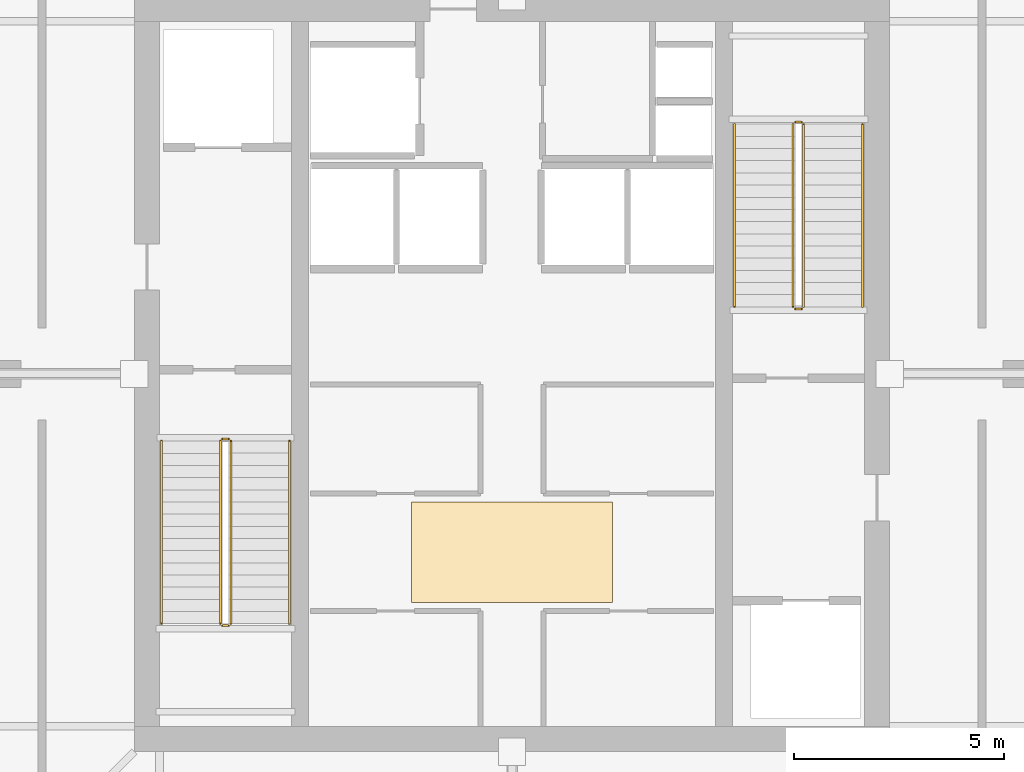
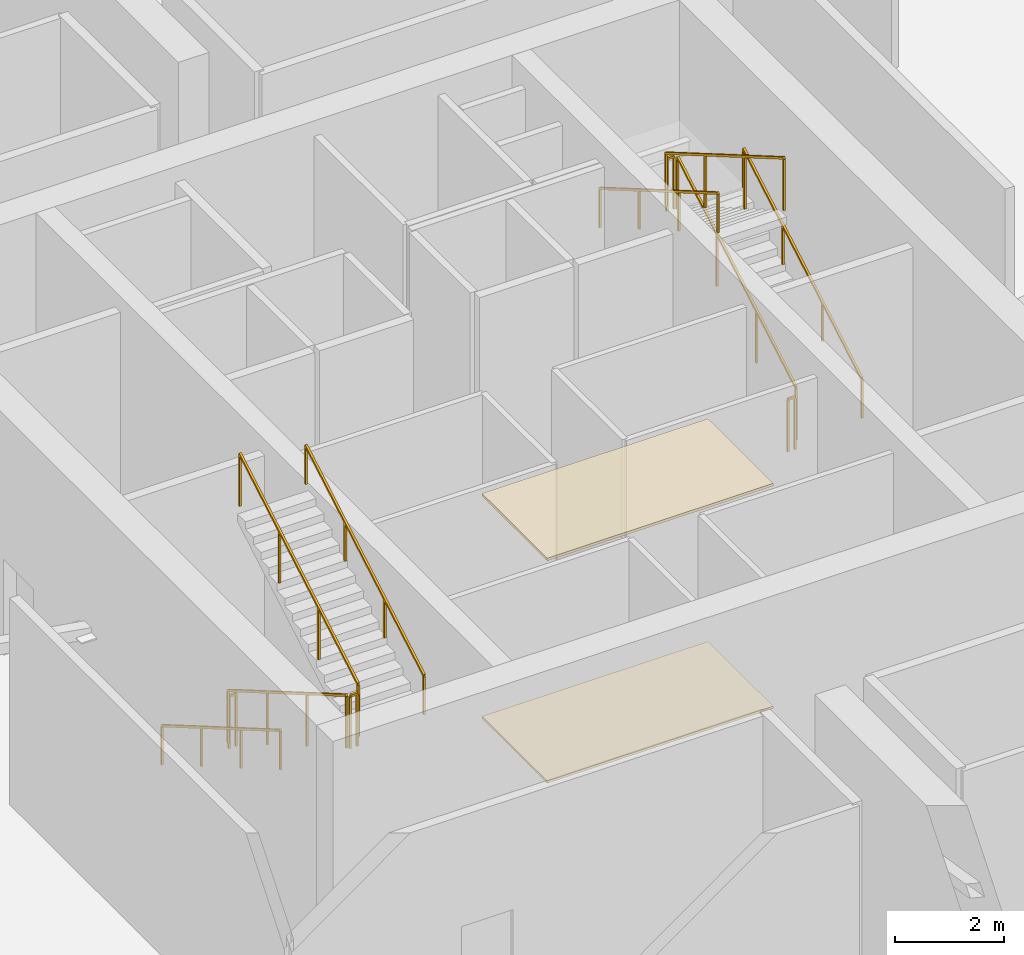
# One storey, part 6 of 6: 12 railings, 2 coverings.
"""IFC4 building model written with IfcOpenShell, lengths in metres."""

import ifcopenshell
import ifcopenshell.guid

model = None  # the IFC model being written
_history = None  # IfcOwnerHistory: only IFC2X3 demands one
_inside = {}  # id of a spatial element -> (the spatial element, [elements in it])
_under = {}  # id of a project, library or spatial element -> (it, [spatial elements below it])
_declared = {}  # id of a project -> (the project, [libraries it declares])
_typed = {}  # id of a type object -> (the type object, [elements of that type])
_made_of = {}  # id of a material, layer set ... -> (it, [elements and type objects made of it])


def new_model(schema):
    """Start an empty IFC model of exactly this schema.

    Asked for "IFC4X3", IfcOpenShell would pick the latest addendum, in which some entities
    have other attributes; the version numbers below select the first issue.
    IFC2X3 requires an IfcOwnerHistory on every rooted entity: one is made here for all.
    """
    global model, _history
    if schema == "IFC4X3":
        model = ifcopenshell.file(schema_version=(4, 3, 0, 0))
    else:
        model = ifcopenshell.file(schema=schema)
    _inside.clear()
    _under.clear()
    _declared.clear()
    _typed.clear()
    _made_of.clear()
    _history = None
    if model.schema == "IFC2X3":
        org = make("IfcOrganization", Name="unknown")
        user = make(
            "IfcPersonAndOrganization",
            ThePerson=make("IfcPerson", FamilyName="unknown"),
            TheOrganization=org,
        )
        app = make(
            "IfcApplication",
            ApplicationDeveloper=org,
            Version="unknown",
            ApplicationFullName="unknown",
            ApplicationIdentifier="unknown",
        )
        _history = make(
            "IfcOwnerHistory",
            OwningUser=user,
            OwningApplication=app,
            ChangeAction="ADDED",
            CreationDate=0,
        )
    return model


def make(cls, **values):
    """One entity of the class cls with the attributes given. An attribute that is None is left unset."""
    return model.create_entity(
        cls, **{name: value for name, value in values.items() if value is not None}
    )


def rooted(cls, **values):
    """An entity with a GlobalId (a new one), such as an element, a storey or a relation."""
    return make(cls, GlobalId=ifcopenshell.guid.new(), OwnerHistory=_history, **values)


def si_unit(unit_type, name, prefix=None):
    """IfcSIUnit, for example si_unit("LENGTHUNIT", "METRE", prefix="MILLI")."""
    return make("IfcSIUnit", UnitType=unit_type, Prefix=prefix, Name=name)


def assignment(units):
    """IfcUnitAssignment: the units of a project."""
    return None if units is None else make("IfcUnitAssignment", Units=units)


def point(xyz):
    """IfcCartesianPoint."""
    return None if xyz is None else make("IfcCartesianPoint", Coordinates=xyz)


def direction(xyz):
    """IfcDirection."""
    return None if xyz is None else make("IfcDirection", DirectionRatios=xyz)


def frame(location, z_axis=None, x_axis=None):
    """IfcAxis2Placement3D, a coordinate frame: its origin and axes. An axis left out is left unset."""
    return make(
        "IfcAxis2Placement3D",
        Location=point(location),
        Axis=direction(z_axis),
        RefDirection=direction(x_axis),
    )


def frame_2d(location, x_axis=None):
    """IfcAxis2Placement2D, a coordinate frame in the plane: its origin and x axis."""
    return make(
        "IfcAxis2Placement2D", Location=point(location), RefDirection=direction(x_axis)
    )


def origin():
    """The frame at (0, 0, 0) with its axes left unset."""
    return frame((0.0, 0.0, 0.0))


def origin_2d():
    """The frame at (0, 0) in the plane with its x axis left unset."""
    return frame_2d((0.0, 0.0))


def place(relative_to, where):
    """IfcLocalPlacement: puts the frame where relative to a parent placement (None: the world)."""
    return make(
        "IfcLocalPlacement", PlacementRelTo=relative_to, RelativePlacement=where
    )


def context(
    kind, dimensions, precision=None, world=None, true_north=None, identifier=None
):
    """IfcGeometricRepresentationContext, for example the 3D "Model" context."""
    return make(
        "IfcGeometricRepresentationContext",
        ContextIdentifier=identifier,
        ContextType=kind,
        CoordinateSpaceDimension=dimensions,
        Precision=precision,
        WorldCoordinateSystem=world,
        TrueNorth=true_north,
    )


def subcontext(parent, identifier, kind, view, scale=None):
    """IfcGeometricRepresentationSubContext, for example "Body" below "Model"."""
    return make(
        "IfcGeometricRepresentationSubContext",
        ContextIdentifier=identifier,
        ContextType=kind,
        ParentContext=parent,
        TargetScale=scale,
        TargetView=view,
    )


def project(units=None, contexts=None):
    """IfcProject with its units and contexts."""
    return rooted(
        "IfcProject",
        Name="project",
        RepresentationContexts=contexts,
        UnitsInContext=assignment(units),
    )


def spatial(cls, under=None, at=None, **own):
    """A site, building, storey or space (cls), placed at a placement, below another one or the project."""
    s = rooted(cls, ObjectPlacement=at, **own)
    if under is not None:
        _under.setdefault(under.id(), (under, []))[1].append(s)
    return s


def polyline(points):
    """IfcPolyline through the points."""
    return make("IfcPolyline", Points=[point(p) for p in points])


def profile(cls, at=None, kind="AREA", **sizes):
    """A parametric profile (cls). Its sizes go by their IFC names, for example OverallWidth=200.0."""
    return make(cls, ProfileType=kind, Position=at, **sizes)


def rectangle(**sizes):
    """IfcRectangleProfileDef."""
    return profile("IfcRectangleProfileDef", **sizes)


def outline(outer, holes=None, kind="AREA"):
    """IfcArbitraryClosedProfileDef: a profile drawn as a closed curve; with holes, ...WithVoids."""
    if holes is None:
        return make("IfcArbitraryClosedProfileDef", ProfileType=kind, OuterCurve=outer)
    return make(
        "IfcArbitraryProfileDefWithVoids",
        ProfileType=kind,
        OuterCurve=outer,
        InnerCurves=holes,
    )


def extrude(swept, where, along, depth):
    """IfcExtrudedAreaSolid: the profile swept, set in the frame where, extruded along a direction by depth."""
    return make(
        "IfcExtrudedAreaSolid",
        SweptArea=swept,
        Position=where,
        ExtrudedDirection=direction(along),
        Depth=depth,
    )


def shape(context_of_items, identifier, shape_type, items):
    """IfcShapeRepresentation: the items that make up one representation, for example the "Body"."""
    return make(
        "IfcShapeRepresentation",
        ContextOfItems=context_of_items,
        RepresentationIdentifier=identifier,
        RepresentationType=shape_type,
        Items=items,
    )


def material(Name=None, Category=None):
    """IfcMaterial."""
    return make("IfcMaterial", Name=Name, Category=Category)


def layer(
    of_material, thickness, ventilated=None, Name=None, Category=None, Priority=None
):
    """IfcMaterialLayer: one layer of a wall or slab, of a material (None: an air gap)."""
    return make(
        "IfcMaterialLayer",
        Material=of_material,
        LayerThickness=thickness,
        IsVentilated=ventilated,
        Name=Name,
        Category=Category,
        Priority=Priority,
    )


def layer_set(layers, Name=None):
    """IfcMaterialLayerSet."""
    return make("IfcMaterialLayerSet", MaterialLayers=layers, LayerSetName=Name)


def made_of(thing, what):
    """Note that an element or type object is made of a material, layer set ...; save() writes the relation."""
    if what is not None:
        _made_of.setdefault(what.id(), (what, []))[1].append(thing)
    return thing


def type_object(cls, material=None, **own):
    """A type object (cls), such as IfcWallType, which elements share."""
    return made_of(rooted(cls, **own), material)


def element(
    cls,
    number,
    at=None,
    inside=None,
    cuts=None,
    type_object=None,
    material=None,
    context=None,
    identifier="Body",
    shape_type=None,
    held_by="IfcProductDefinitionShape",
    body=None,
    shapes=None,
    **own,
):
    """One element of the class cls, such as IfcWall. Its Tag is "e" and its number.

    at: its placement. inside: the storey or other place that contains it. cuts: it is an
    opening in that element (IfcRelVoidsElement). A single representation is given by context,
    identifier, shape_type and body (its items); several are given by shapes. held_by: the class
    of the entity that holds the representations. save() writes the other relations.
    """
    e = rooted(cls, Tag="e%d" % number, ObjectPlacement=at, **own)
    if body is not None:
        shapes = [shape(context, identifier, shape_type, body)]
    if shapes is not None:
        e.Representation = make(held_by, Representations=shapes)
    if inside is not None:
        _inside.setdefault(inside.id(), (inside, []))[1].append(e)
    if cuts is not None:
        rooted(
            "IfcRelVoidsElement", RelatingBuildingElement=cuts, RelatedOpeningElement=e
        )
    if type_object is not None:
        _typed.setdefault(type_object.id(), (type_object, []))[1].append(e)
    return made_of(e, material)


def aggregate(whole, parts):
    """IfcRelAggregates: a whole, such as a stair, and the parts it consists of."""
    return rooted("IfcRelAggregates", RelatingObject=whole, RelatedObjects=parts)


def save(model, path):
    """Write the relations noted so far, then the file.

    IfcRelAggregates (storeys below a building ...), IfcRelContainedInSpatialStructure (elements
    in a storey), IfcRelDefinesByType, IfcRelAssociatesMaterial and IfcRelDeclares: one each for
    every whole, place, type object, material and project.
    """
    for whole, parts in _under.values():
        aggregate(whole, parts)
    for where, things in _inside.values():
        rooted(
            "IfcRelContainedInSpatialStructure",
            RelatedElements=things,
            RelatingStructure=where,
        )
    for kind, things in _typed.values():
        rooted("IfcRelDefinesByType", RelatedObjects=things, RelatingType=kind)
    for what, things in _made_of.values():
        rooted("IfcRelAssociatesMaterial", RelatedObjects=things, RelatingMaterial=what)
    for by, libraries in _declared.values():
        rooted("IfcRelDeclares", RelatingContext=by, RelatedDefinitions=libraries)
    model.write(path)


model = new_model("IFC4")

# Units and contexts
model_context = context("Model", 3, precision=1e-05, world=origin(), true_north=direction((0.0, 1.0)))
body_context = subcontext(model_context, "Body", "Model", "MODEL_VIEW")
ifc_project = project(units=[si_unit("LENGTHUNIT", "METRE"), si_unit("AREAUNIT", "SQUARE_METRE"), si_unit("VOLUMEUNIT", "CUBIC_METRE"), si_unit("PLANEANGLEUNIT", "RADIAN"), si_unit("MASSUNIT", "GRAM", prefix="KILO")], contexts=[model_context])

# Site, building, storey
site_placement = place(None, origin())
site = spatial("IfcSite", under=ifc_project, at=site_placement, CompositionType="ELEMENT")
building_placement = place(site_placement, origin())
building = spatial("IfcBuilding", under=site, at=building_placement, Name="Belovzor Exchange Tower", CompositionType="ELEMENT")
storey_placement = place(building_placement, frame((0.0, 0.0, 284.10009765625)))
storey = spatial("IfcBuildingStorey", under=building, at=storey_placement, Name="L71", CompositionType="ELEMENT", Elevation=284.10009765625)

# Railings
ifc_material_1 = material(Name="Stainless Steel Grade 304", Category="steel")
railing_type_1 = type_object("IfcRailingType", Name="Brushed Stainless Steel Stair Handrail 900", PredefinedType="HANDRAIL", material=ifc_material_1)
railing_1_placement = place(storey_placement, frame((20.449951171875, 27.199951171875, 0.168701171875)))
element("IfcRailing", 1, at=railing_1_placement, inside=storey, type_object=railing_type_1, Name="L71 ST-1 stair handrail 1", PredefinedType="HANDRAIL", context=body_context, shape_type="SweptSolid", body=[
    extrude(rectangle(XDim=0.048095703125, YDim=0.048095703125, at=origin_2d()), frame((0.0, 0.0, 0.8759765625), z_axis=(0.0, -0.864311530196, 0.502956835891), x_axis=(1.0, 0.0, 0.0)), (0.0, 0.0, 1.0), 5.03271484375),
    extrude(rectangle(XDim=0.0419921875, YDim=0.0419921875, at=origin_2d()), origin(), (0.0, 0.0, 1.0), 0.851806640625),
    extrude(rectangle(XDim=0.0419921875, YDim=0.0419921875, at=origin_2d()), frame((0.0, -1.449951171875, 0.84375)), (0.0, 0.0, 1.0), 0.851806640625),
    extrude(rectangle(XDim=0.0419921875, YDim=0.0419921875, at=origin_2d()), frame((0.0, -2.89990234375, 1.6875)), (0.0, 0.0, 1.0), 0.851806640625),
    extrude(rectangle(XDim=0.0419921875, YDim=0.0419921875, at=origin_2d()), frame((0.0, -4.349853515625, 2.53125)), (0.0, 0.0, 1.0), 0.851806640625),
])
railing_2_placement = place(storey_placement, frame((23.5, 22.85009765625, 2.86865234375)))
element("IfcRailing", 2, at=railing_2_placement, inside=storey, type_object=railing_type_1, Name="L71 ST-1 stair handrail 2", PredefinedType="HANDRAIL", context=body_context, shape_type="SweptSolid", body=[
    extrude(rectangle(XDim=0.048095703125, YDim=0.048095703125, at=origin_2d()), frame((0.0, 0.0, 0.8759765625), z_axis=(0.0, 0.864311530196, 0.502956835891), x_axis=(-1.0, 0.0, 0.0)), (0.0, 0.0, 1.0), 5.03271484375),
    extrude(rectangle(XDim=0.0419921875, YDim=0.0419921875, at=origin_2d()), origin(), (0.0, 0.0, 1.0), 0.851806640625),
    extrude(rectangle(XDim=0.0419921875, YDim=0.0419921875, at=origin_2d()), frame((0.0, 1.449951171875, 0.84375)), (0.0, 0.0, 1.0), 0.851806640625),
    extrude(rectangle(XDim=0.0419921875, YDim=0.0419921875, at=origin_2d()), frame((0.0, 2.89990234375, 1.6875)), (0.0, 0.0, 1.0), 0.851806640625),
    extrude(rectangle(XDim=0.0419921875, YDim=0.0419921875, at=origin_2d()), frame((0.0, 4.349853515625, 2.53125)), (0.0, 0.0, 1.0), 0.851806640625),
])
railing_3_placement = place(storey_placement, frame((37.14990234375, 30.39990234375, 0.168701171875)))
element("IfcRailing", 3, at=railing_3_placement, inside=storey, type_object=railing_type_1, Name="L71 ST-2 stair handrail 1", PredefinedType="HANDRAIL", context=body_context, shape_type="SweptSolid", body=[
    extrude(rectangle(XDim=0.048095703125, YDim=0.048095703125, at=origin_2d()), frame((0.0, 0.0, 0.8759765625), z_axis=(0.0, 0.864323800911, 0.50293574856), x_axis=(-1.0, 0.0, 0.0)), (0.0, 0.0, 1.0), 5.032958984375),
    extrude(rectangle(XDim=0.0419921875, YDim=0.0419921875, at=origin_2d()), origin(), (0.0, 0.0, 1.0), 0.851806640625),
    extrude(rectangle(XDim=0.0419921875, YDim=0.0419921875, at=origin_2d()), frame((0.0, 1.449951171875, 0.84375)), (0.0, 0.0, 1.0), 0.851806640625),
    extrude(rectangle(XDim=0.0419921875, YDim=0.0419921875, at=origin_2d()), frame((0.0, 2.900146484375, 1.6875)), (0.0, 0.0, 1.0), 0.851806640625),
    extrude(rectangle(XDim=0.0419921875, YDim=0.0419921875, at=origin_2d()), frame((0.0, 4.35009765625, 2.53125)), (0.0, 0.0, 1.0), 0.851806640625),
])
railing_4_placement = place(storey_placement, frame((34.10009765625, 34.75, 2.86865234375)))
element("IfcRailing", 4, at=railing_4_placement, inside=storey, type_object=railing_type_1, Name="L71 ST-2 stair handrail 2", PredefinedType="HANDRAIL", context=body_context, shape_type="SweptSolid", body=[
    extrude(rectangle(XDim=0.048095703125, YDim=0.048095703125, at=origin_2d()), frame((0.0, 0.0, 0.8759765625), z_axis=(0.0, -0.864323800911, 0.50293574856), x_axis=(1.0, 0.0, 0.0)), (0.0, 0.0, 1.0), 5.032958984375),
    extrude(rectangle(XDim=0.0419921875, YDim=0.0419921875, at=origin_2d()), origin(), (0.0, 0.0, 1.0), 0.851806640625),
    extrude(rectangle(XDim=0.0419921875, YDim=0.0419921875, at=origin_2d()), frame((0.0, -1.449951171875, 0.84375)), (0.0, 0.0, 1.0), 0.851806640625),
    extrude(rectangle(XDim=0.0419921875, YDim=0.0419921875, at=origin_2d()), frame((0.0, -2.900146484375, 1.6875)), (0.0, 0.0, 1.0), 0.851806640625),
    extrude(rectangle(XDim=0.0419921875, YDim=0.0419921875, at=origin_2d()), frame((0.0, -4.35009765625, 2.53125)), (0.0, 0.0, 1.0), 0.851806640625),
])
ifc_material_2 = material(Name="Steel S355", Category="steel")
railing_type_2 = type_object("IfcRailingType", Name="Painted Steel Stairwell Guardrail 1200", PredefinedType="GUARDRAIL", material=ifc_material_2)
railing_5_placement = place(storey_placement, frame((21.85009765625, 27.199951171875, 0.168701171875)))
element("IfcRailing", 5, at=railing_5_placement, inside=storey, type_object=railing_type_2, Name="L71 ST-1 stair guard 1", PredefinedType="GUARDRAIL", context=body_context, shape_type="SweptSolid", body=[
    extrude(rectangle(XDim=0.048095703125, YDim=0.048095703125, at=origin_2d()), frame((0.0, 0.0, 1.17578125), z_axis=(0.0, -0.864311530196, 0.502956835891), x_axis=(1.0, 0.0, 0.0)), (0.0, 0.0, 1.0), 5.03271484375),
    extrude(rectangle(XDim=0.0419921875, YDim=0.0419921875, at=origin_2d()), origin(), (0.0, 0.0, 1.0), 1.15185546875),
    extrude(rectangle(XDim=0.0419921875, YDim=0.0419921875, at=origin_2d()), frame((0.0, -1.449951171875, 0.84375)), (0.0, 0.0, 1.0), 1.15185546875),
    extrude(rectangle(XDim=0.0419921875, YDim=0.0419921875, at=origin_2d()), frame((0.0, -2.89990234375, 1.6875)), (0.0, 0.0, 1.0), 1.15185546875),
    extrude(rectangle(XDim=0.0419921875, YDim=0.0419921875, at=origin_2d()), frame((0.0, -4.349853515625, 2.53125)), (0.0, 0.0, 1.0), 1.15185546875),
])
railing_6_placement = place(storey_placement, frame((21.89990234375, 22.800048828125, 2.699951171875)))
element("IfcRailing", 6, at=railing_6_placement, inside=storey, type_object=railing_type_2, Name="L71 ST-1 stair guard 2", PredefinedType="GUARDRAIL", context=body_context, shape_type="SweptSolid", body=[
    extrude(rectangle(XDim=0.048095703125, YDim=0.048095703125, at=origin_2d()), frame((0.0, 0.0, 1.17578125), z_axis=(1.0, 0.0, 0.0), x_axis=(0.0, 1.0, 0.0)), (0.0, 0.0, 1.0), 0.150146484375),
    extrude(rectangle(XDim=0.0419921875, YDim=0.0419921875, at=origin_2d()), origin(), (0.0, 0.0, 1.0), 1.15185546875),
    extrude(rectangle(XDim=0.0419921875, YDim=0.0419921875, at=origin_2d()), frame((0.150146484375, 0.0, 0.0)), (0.0, 0.0, 1.0), 1.15185546875),
])
railing_7_placement = place(storey_placement, frame((22.10009765625, 22.85009765625, 2.86865234375)))
element("IfcRailing", 7, at=railing_7_placement, inside=storey, type_object=railing_type_2, Name="L71 ST-1 stair guard 3", PredefinedType="GUARDRAIL", context=body_context, shape_type="SweptSolid", body=[
    extrude(rectangle(XDim=0.048095703125, YDim=0.048095703125, at=origin_2d()), frame((0.0, 0.0, 1.17578125), z_axis=(0.0, 0.864311530196, 0.502956835891), x_axis=(-1.0, 0.0, 0.0)), (0.0, 0.0, 1.0), 5.03271484375),
    extrude(rectangle(XDim=0.0419921875, YDim=0.0419921875, at=origin_2d()), origin(), (0.0, 0.0, 1.0), 1.15185546875),
    extrude(rectangle(XDim=0.0419921875, YDim=0.0419921875, at=origin_2d()), frame((0.0, 1.449951171875, 0.84375)), (0.0, 0.0, 1.0), 1.15185546875),
    extrude(rectangle(XDim=0.0419921875, YDim=0.0419921875, at=origin_2d()), frame((0.0, 2.89990234375, 1.6875)), (0.0, 0.0, 1.0), 1.15185546875),
    extrude(rectangle(XDim=0.0419921875, YDim=0.0419921875, at=origin_2d()), frame((0.0, 4.349853515625, 2.53125)), (0.0, 0.0, 1.0), 1.15185546875),
])
railing_8_placement = place(storey_placement, frame((21.89990234375, 27.25, 0.0)))
element("IfcRailing", 8, at=railing_8_placement, inside=storey, type_object=railing_type_2, Name="L71 ST-1 stair guard 4", PredefinedType="GUARDRAIL", context=body_context, shape_type="SweptSolid", body=[
    extrude(rectangle(XDim=0.048095703125, YDim=0.048095703125, at=origin_2d()), frame((0.0, 0.0, 1.17578125), z_axis=(1.0, 0.0, 0.0), x_axis=(0.0, 1.0, 0.0)), (0.0, 0.0, 1.0), 0.150146484375),
    extrude(rectangle(XDim=0.0419921875, YDim=0.0419921875, at=origin_2d()), origin(), (0.0, 0.0, 1.0), 1.15185546875),
    extrude(rectangle(XDim=0.0419921875, YDim=0.0419921875, at=origin_2d()), frame((0.150146484375, 0.0, 0.0)), (0.0, 0.0, 1.0), 1.15185546875),
])
railing_9_placement = place(storey_placement, frame((35.75, 30.39990234375, 0.168701171875)))
element("IfcRailing", 9, at=railing_9_placement, inside=storey, type_object=railing_type_2, Name="L71 ST-2 stair guard 1", PredefinedType="GUARDRAIL", context=body_context, shape_type="SweptSolid", body=[
    extrude(rectangle(XDim=0.048095703125, YDim=0.048095703125, at=origin_2d()), frame((0.0, 0.0, 1.17578125), z_axis=(0.0, 0.864323800911, 0.50293574856), x_axis=(-1.0, 0.0, 0.0)), (0.0, 0.0, 1.0), 5.032958984375),
    extrude(rectangle(XDim=0.0419921875, YDim=0.0419921875, at=origin_2d()), origin(), (0.0, 0.0, 1.0), 1.15185546875),
    extrude(rectangle(XDim=0.0419921875, YDim=0.0419921875, at=origin_2d()), frame((0.0, 1.449951171875, 0.84375)), (0.0, 0.0, 1.0), 1.15185546875),
    extrude(rectangle(XDim=0.0419921875, YDim=0.0419921875, at=origin_2d()), frame((0.0, 2.900146484375, 1.6875)), (0.0, 0.0, 1.0), 1.15185546875),
    extrude(rectangle(XDim=0.0419921875, YDim=0.0419921875, at=origin_2d()), frame((0.0, 4.35009765625, 2.53125)), (0.0, 0.0, 1.0), 1.15185546875),
])
railing_10_placement = place(storey_placement, frame((35.699951171875, 34.800048828125, 2.699951171875)))
element("IfcRailing", 10, at=railing_10_placement, inside=storey, type_object=railing_type_2, Name="L71 ST-2 stair guard 2", PredefinedType="GUARDRAIL", context=body_context, shape_type="SweptSolid", body=[
    extrude(rectangle(XDim=0.048095703125, YDim=0.048095703125, at=origin_2d()), frame((0.0, 0.0, 1.17578125), z_axis=(-1.0, 0.0, 0.0), x_axis=(0.0, -1.0, 0.0)), (0.0, 0.0, 1.0), 0.14990234375),
    extrude(rectangle(XDim=0.0419921875, YDim=0.0419921875, at=origin_2d()), origin(), (0.0, 0.0, 1.0), 1.15185546875),
    extrude(rectangle(XDim=0.0419921875, YDim=0.0419921875, at=origin_2d()), frame((-0.14990234375, 0.0, 0.0)), (0.0, 0.0, 1.0), 1.15185546875),
])
railing_11_placement = place(storey_placement, frame((35.5, 34.75, 2.86865234375)))
element("IfcRailing", 11, at=railing_11_placement, inside=storey, type_object=railing_type_2, Name="L71 ST-2 stair guard 3", PredefinedType="GUARDRAIL", context=body_context, shape_type="SweptSolid", body=[
    extrude(rectangle(XDim=0.048095703125, YDim=0.048095703125, at=origin_2d()), frame((0.0, 0.0, 1.17578125), z_axis=(0.0, -0.864323800911, 0.50293574856), x_axis=(1.0, 0.0, 0.0)), (0.0, 0.0, 1.0), 5.032958984375),
    extrude(rectangle(XDim=0.0419921875, YDim=0.0419921875, at=origin_2d()), origin(), (0.0, 0.0, 1.0), 1.15185546875),
    extrude(rectangle(XDim=0.0419921875, YDim=0.0419921875, at=origin_2d()), frame((0.0, -1.449951171875, 0.84375)), (0.0, 0.0, 1.0), 1.15185546875),
    extrude(rectangle(XDim=0.0419921875, YDim=0.0419921875, at=origin_2d()), frame((0.0, -2.900146484375, 1.6875)), (0.0, 0.0, 1.0), 1.15185546875),
    extrude(rectangle(XDim=0.0419921875, YDim=0.0419921875, at=origin_2d()), frame((0.0, -4.35009765625, 2.53125)), (0.0, 0.0, 1.0), 1.15185546875),
])
railing_12_placement = place(storey_placement, frame((35.699951171875, 30.35009765625, 0.0)))
element("IfcRailing", 12, at=railing_12_placement, inside=storey, type_object=railing_type_2, Name="L71 ST-2 stair guard 4", PredefinedType="GUARDRAIL", context=body_context, shape_type="SweptSolid", body=[
    extrude(rectangle(XDim=0.048095703125, YDim=0.048095703125, at=origin_2d()), frame((0.0, 0.0, 1.17578125), z_axis=(-1.0, 0.0, 0.0), x_axis=(0.0, -1.0, 0.0)), (0.0, 0.0, 1.0), 0.14990234375),
    extrude(rectangle(XDim=0.0419921875, YDim=0.0419921875, at=origin_2d()), origin(), (0.0, 0.0, 1.0), 1.15185546875),
    extrude(rectangle(XDim=0.0419921875, YDim=0.0419921875, at=origin_2d()), frame((-0.14990234375, 0.0, 0.0)), (0.0, 0.0, 1.0), 1.15185546875),
])

# Coverings
ifc_material_3 = material(Name="Perforated Powder-Coated Aluminium", Category="aluminium")
ifc_layer_1 = layer(ifc_material_3, 0.06005859375)
ifc_layer_set_1 = layer_set([ifc_layer_1], Name="Perforated Powder-Coated Aluminium")
covering_type_1 = type_object("IfcCoveringType", Name="Perforated Acoustic Metal Tile Suspended Ceiling 60", PredefinedType="CEILING", material=ifc_layer_set_1)
covering_1_placement = place(storey_placement, frame((0.0, 0.0, 4.989990234375)))
element("IfcCovering", 13, at=covering_1_placement, inside=storey, type_object=covering_type_1, Name="CLG-AC60 Suspended Ceiling CLG-L71-LOB", PredefinedType="CEILING", context=body_context, shape_type="SweptSolid", body=[
    extrude(outline(polyline([(26.39990234375, 23.35009765625), (31.199951171875, 23.35009765625), (31.199951171875, 25.75), (26.39990234375, 25.75), (26.39990234375, 23.35009765625)])), origin(), (0.0, 0.0, 1.0), 0.059814453125),
])
ifc_material_4 = material(Name="Polished Natural Granite Tile", Category="masonry")
ifc_layer_2 = layer(ifc_material_4, 0.050048828125)
ifc_layer_set_2 = layer_set([ifc_layer_2], Name="Polished Natural Granite Tile")
covering_type_2 = type_object("IfcCoveringType", Name="Polished Karelian Granite & Raised Access Floor Finish 50", PredefinedType="FLOORING", material=ifc_layer_set_2)
covering_2_placement = place(storey_placement, origin())
element("IfcCovering", 14, at=covering_2_placement, inside=storey, type_object=covering_type_2, Name="FLR-GR50 Floor Finish FLR-L71-LOB", PredefinedType="FLOORING", context=body_context, shape_type="SweptSolid", body=[
    extrude(outline(polyline([(26.39990234375, 23.35009765625), (31.199951171875, 23.35009765625), (31.199951171875, 25.75), (26.39990234375, 25.75), (26.39990234375, 23.35009765625)])), origin(), (0.0, 0.0, 1.0), 0.0498046875),
])

save(model, "model.ifc")
